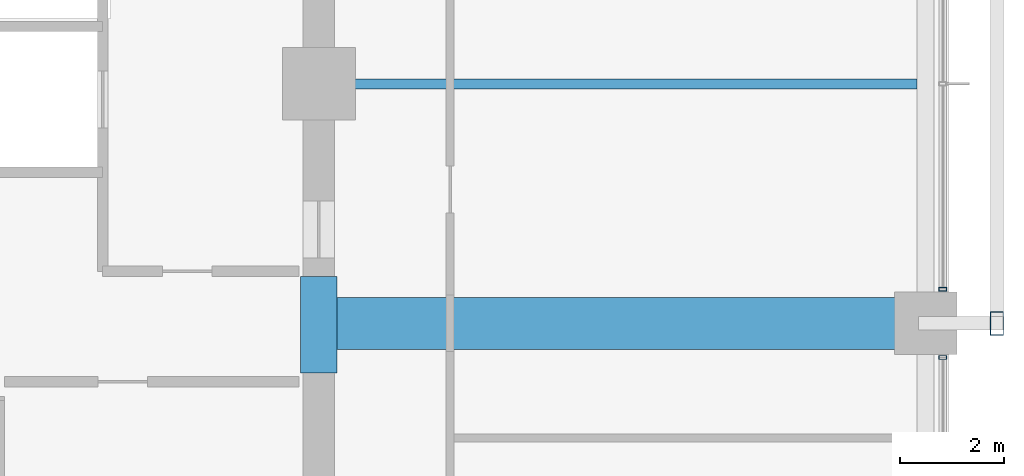
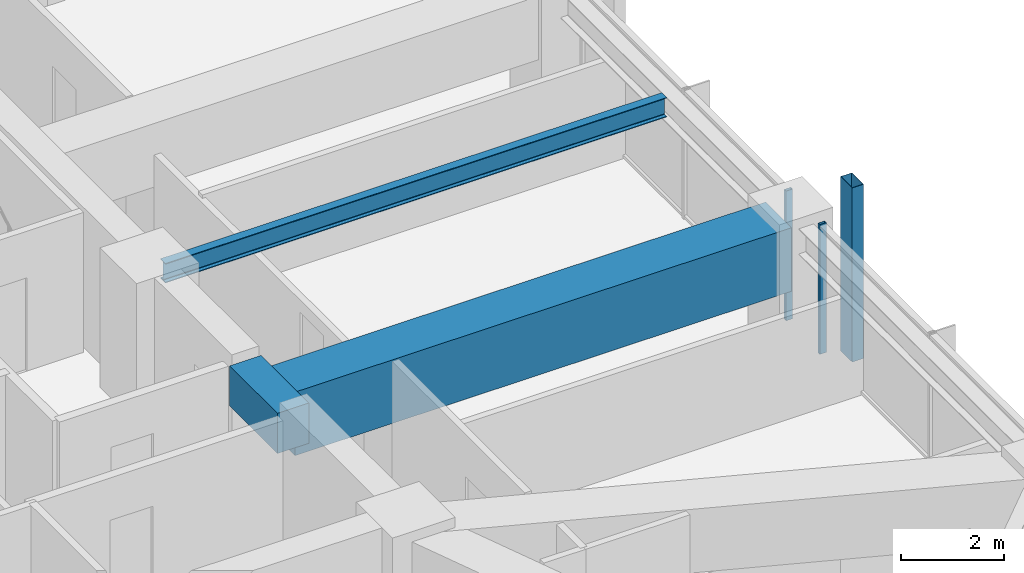
# One storey, part 13 of 37: 3 beams, 3 members, 2 elements without a shape of their own.
"""IFC4 building model written with IfcOpenShell, lengths in metres."""

from ifc_helpers import new_model, si_unit, direction, frame, origin, origin_2d, place, context, subcontext, project, spatial, rectangle, hollow_rectangle, i_section, extrude, material, material_profile, profile_set, type_object, element, aggregate, save


model = new_model("IFC4")

# Units and contexts
model_context = context("Model", 3, precision=1e-05, world=origin(), true_north=direction((0.0, 1.0)))
body_context = subcontext(model_context, "Body", "Model", "MODEL_VIEW")
ifc_project = project(units=[si_unit("LENGTHUNIT", "METRE"), si_unit("AREAUNIT", "SQUARE_METRE"), si_unit("VOLUMEUNIT", "CUBIC_METRE"), si_unit("PLANEANGLEUNIT", "RADIAN"), si_unit("MASSUNIT", "GRAM", prefix="KILO")], contexts=[model_context])

# Site, building, storey
site_placement = place(None, origin())
site = spatial("IfcSite", under=ifc_project, at=site_placement, CompositionType="ELEMENT")
building_placement = place(site_placement, origin())
building = spatial("IfcBuilding", under=site, at=building_placement, Name="Kolvaren Belvedere", CompositionType="ELEMENT")
storey_placement = place(building_placement, frame((0.0, 0.0, 43.60009765625)))
storey = spatial("IfcBuildingStorey", under=building, at=storey_placement, Name="L12", CompositionType="ELEMENT", Elevation=43.60009765625)

# Beams
ifc_material_1 = material(Name="Structural steel ASTM A992 Grade 50", Category="steel")
ifc_material_profile_1 = material_profile(ifc_material_1, i_section(OverallWidth=0.19091796875, OverallDepth=0.4599609375, WebThickness=0.010009765625, FlangeThickness=0.01611328125, FilletRadius=0.014892578125, at=origin_2d()), Name="W18X55")
ifc_profile_set_1 = profile_set([ifc_material_profile_1], Name="Structural steel ASTM A992 Grade 50")
beam_type_1 = type_object("IfcBeamType", Name="BM-JOIST-W18X55", PredefinedType="BEAM", material=ifc_profile_set_1)
beam_1_placement = place(storey_placement, frame((10.199951171875, 0.0, 2.829833984375), z_axis=(1.0, 0.0, 0.0), x_axis=(0.0, 1.0, 0.0)))
element("IfcBeam", 1, at=beam_1_placement, inside=storey, type_object=beam_type_1, Name="L12 East Centre Floor Beam", PredefinedType="BEAM", context=body_context, shape_type="SweptSolid", body=[
    extrude(i_section(OverallWidth=0.19091796875, OverallDepth=0.4599609375, WebThickness=0.010009765625, FlangeThickness=0.01611328125, FilletRadius=0.014892578125, at=origin_2d()), origin(), (0.0, 0.0, 1.0), 11.1875),
])
ifc_material_2 = material(Name="Concrete C60/75", Category="concrete")
ifc_material_profile_2 = material_profile(ifc_material_2, rectangle(XDim=0.699951171875, YDim=0.949951171875, at=origin_2d()), Name="RC 700X950")
ifc_profile_set_2 = profile_set([ifc_material_profile_2], Name="Concrete C60/75")
beam_type_2 = type_object("IfcBeamType", Name="BM-LINT-950", PredefinedType="LINTEL", material=ifc_profile_set_2)
beam_2_placement = place(storey_placement, frame((9.89990234375, -5.550048828125, 2.5849609375), z_axis=(0.0, 1.0, 0.0), x_axis=(-1.0, 0.0, 0.0)))
element("IfcBeam", 2, at=beam_2_placement, inside=storey, type_object=beam_type_2, Name="L12 East Core Coupling Lintel", PredefinedType="LINTEL", context=body_context, shape_type="SweptSolid", body=[
    extrude(rectangle(XDim=0.699951171875, YDim=0.949951171875, at=origin_2d()), origin(), (0.0, 0.0, 1.0), 1.85009765625),
])
ifc_material_3 = material(Name="Concrete C50/60", Category="concrete")
ifc_material_profile_3 = material_profile(ifc_material_3, rectangle(XDim=1.0, YDim=1.5, at=origin_2d()), Name="RC 1000X1500")
ifc_profile_set_3 = profile_set([ifc_material_profile_3], Name="Concrete C50/60")
beam_type_3 = type_object("IfcBeamType", Name="BM-TG-1500", PredefinedType="BEAM", material=ifc_profile_set_3)
beam_3_placement = place(storey_placement, frame((10.199951171875, -4.60009765625, 2.309814453125), z_axis=(1.0, 0.0, 0.0), x_axis=(0.0, 1.0, 0.0)))
element("IfcBeam", 3, at=beam_3_placement, inside=storey, type_object=beam_type_3, Name="L12 East Radial Girder M", PredefinedType="BEAM", context=body_context, shape_type="SweptSolid", body=[
    extrude(rectangle(XDim=1.0, YDim=1.5, at=origin_2d()), origin(), (0.0, 0.0, 1.0), 11.080078125),
])

# Curtain wall, member
ifc_material_4 = material(Name="Anodised pale-metal aluminium AA 6063-T6", Category="aluminium")
curtain_wall_type = type_object("IfcCurtainWallType", Name="CW-Z1-LOW", PredefinedType="NOTDEFINED", material=ifc_material_4)
curtain_wall_1_placement = place(storey_placement, origin())
curtain_wall_1 = element("IfcCurtainWall", 4, at=curtain_wall_1_placement, inside=storey, type_object=curtain_wall_type, Name="L12 Unitised Curtain Wall FCW-L12-E-B2", PredefinedType="NOTDEFINED")
ifc_material_5 = material(Name="Anodised pale-metal aluminium AA 6063-T6", Category="aluminium")
ifc_material_profile_4 = material_profile(ifc_material_5, hollow_rectangle(XDim=0.070068359375, YDim=0.14990234375, WallThickness=0.004150390625, at=origin_2d()), Name="ALU-MUL-150X70")
ifc_profile_set_4 = profile_set([ifc_material_profile_4], Name="Anodised pale-metal aluminium AA 6063-T6")
member_type_1 = type_object("IfcMemberType", Name="CW-MUL-150", PredefinedType="MULLION", material=ifc_profile_set_4)
member_1_placement = place(storey_placement, frame((21.8798828125, -3.945068359375, 0.0), z_axis=(0.0, 0.0, 1.0), x_axis=(0.0, 1.0, 0.0)))
member_1 = element("IfcMember", 5, at=member_1_placement, type_object=member_type_1, Name="FCW-L12-E-B2 Unitised Mullion 3", PredefinedType="MULLION", context=body_context, shape_type="SweptSolid", body=[
    extrude(hollow_rectangle(XDim=0.070068359375, YDim=0.14990234375, WallThickness=0.004150390625, at=origin_2d()), origin(), (0.0, 0.0, 1.0), 3.059814453125),
])
aggregate(curtain_wall_1, [member_1])

curtain_wall_2_placement = place(storey_placement, origin())
curtain_wall_2 = element("IfcCurtainWall", 6, at=curtain_wall_2_placement, inside=storey, type_object=curtain_wall_type, Name="L12 Unitised Curtain Wall FCW-L12-E-B3", PredefinedType="NOTDEFINED")
member_2_placement = place(storey_placement, frame((21.8798828125, -5.2548828125, 0.0), z_axis=(0.0, 0.0, 1.0), x_axis=(0.0, 1.0, 0.0)))
member_2 = element("IfcMember", 7, at=member_2_placement, type_object=member_type_1, Name="FCW-L12-E-B3 Unitised Mullion 1", PredefinedType="MULLION", context=body_context, shape_type="SweptSolid", body=[
    extrude(hollow_rectangle(XDim=0.070068359375, YDim=0.14990234375, WallThickness=0.004150390625, at=origin_2d()), origin(), (0.0, 0.0, 1.0), 3.059814453125),
])
aggregate(curtain_wall_2, [member_2])

# Member
ifc_material_6 = material(Name="Anodised pale-metal aluminium AA 6063-T6", Category="aluminium")
ifc_material_profile_5 = material_profile(ifc_material_6, hollow_rectangle(XDim=0.25, YDim=0.449951171875, WallThickness=0.008544921875, at=origin_2d()), Name="ALU-PF-450X250")
ifc_profile_set_5 = profile_set([ifc_material_profile_5], Name="Anodised pale-metal aluminium AA 6063-T6")
member_type_2 = type_object("IfcMemberType", Name="PF-FRAME-450", PredefinedType="USERDEFINED", material=ifc_profile_set_5)
member_3_placement = place(storey_placement, frame((22.919921875, -4.60009765625, -0.81005859375), z_axis=(0.0, 0.0, 1.0), x_axis=(1.0, 0.0, 0.0)))
element("IfcMember", 8, at=member_3_placement, inside=storey, type_object=member_type_2, Name="L12 Outboard Picture-Frame Vertical E2", ObjectType="PICTURE FRAME FIN", PredefinedType="USERDEFINED", context=body_context, shape_type="SweptSolid", body=[
    extrude(hollow_rectangle(XDim=0.25, YDim=0.449951171875, WallThickness=0.008544921875, at=origin_2d()), origin(), (0.0, 0.0, 1.0), 4.10986328125),
])

save(model, "model.ifc")
